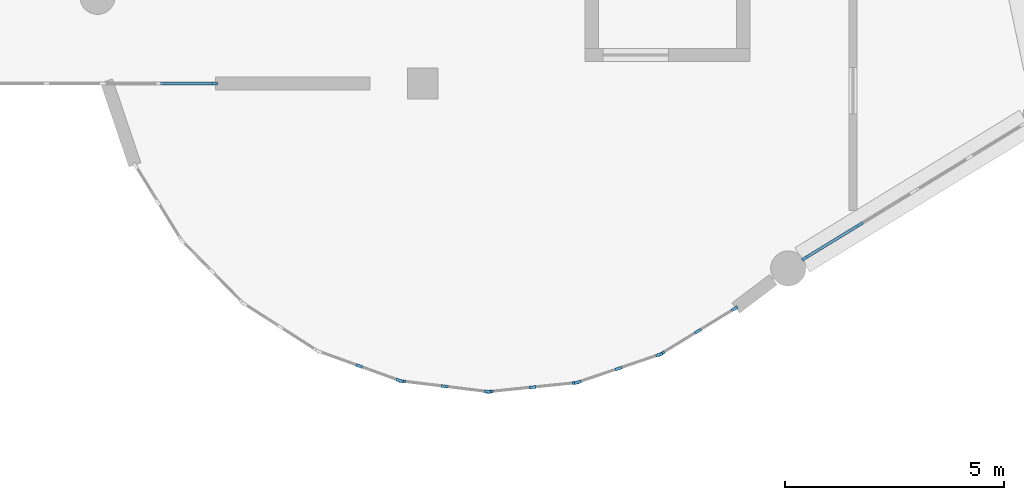
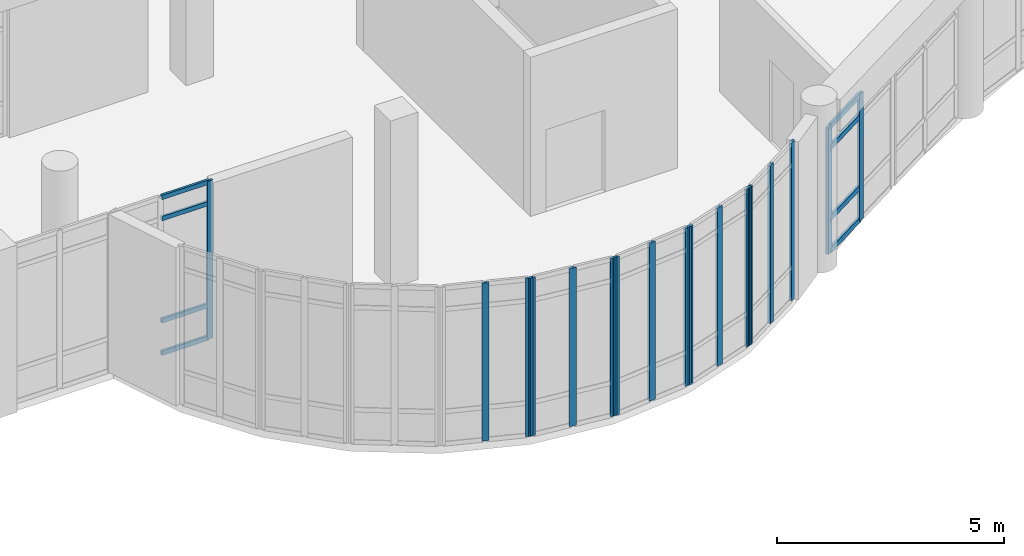
# One storey, part 8 of 54: 25 members, 7 elements without a shape of their own.
"""IFC4 building model written with IfcOpenShell, lengths in metres."""

from ifc_helpers import new_model, si_unit, direction, frame, origin, origin_2d, place, context, subcontext, project, spatial, rectangle, extrude, material, layer, layer_set, material_profile, profile_set, type_object, element, aggregate, save


model = new_model("IFC4")

# Units and contexts
model_context = context("Model", 3, precision=1e-05, world=origin(), true_north=direction((0.0, 1.0)))
body_context = subcontext(model_context, "Body", "Model", "MODEL_VIEW")
ifc_project = project(units=[si_unit("LENGTHUNIT", "METRE"), si_unit("AREAUNIT", "SQUARE_METRE"), si_unit("VOLUMEUNIT", "CUBIC_METRE"), si_unit("PLANEANGLEUNIT", "RADIAN"), si_unit("MASSUNIT", "GRAM", prefix="KILO")], contexts=[model_context])

# Site, building, storey
site_placement = place(None, origin())
site = spatial("IfcSite", under=ifc_project, at=site_placement, CompositionType="ELEMENT")
building_placement = place(site_placement, origin())
building = spatial("IfcBuilding", under=site, at=building_placement, Name="Miralva Faculty of Natural Sciences", CompositionType="ELEMENT")
storey_placement = place(building_placement, frame((0.0, 0.0, 19.5)))
storey = spatial("IfcBuildingStorey", under=building, at=storey_placement, Name="L04", CompositionType="ELEMENT", Elevation=19.5)

# Curtain wall, members
ifc_material_1 = material(Name="Laminated solar-control glass", Category="glass")
ifc_layer_1 = layer(ifc_material_1, 0.179931640625, Name="CW-ARC-L03")
ifc_layer_set_1 = layer_set([ifc_layer_1], Name="Laminated solar-control glass")
curtain_wall_type_1 = type_object("IfcCurtainWallType", Name="CW-ARC-L03", PredefinedType="USERDEFINED", material=ifc_layer_set_1)
curtain_wall_1_placement = place(storey_placement, origin())
curtain_wall_1 = element("IfcCurtainWall", 1, at=curtain_wall_1_placement, inside=storey, type_object=curtain_wall_type_1, Name="Curtain wall CW-03 L04-157", ObjectType="UNITISED CURTAIN WALL", PredefinedType="USERDEFINED")
ifc_material_2 = material(Name="Anodised aluminium", Category="aluminium")
ifc_material_profile_1 = material_profile(ifc_material_2, rectangle(XDim=0.06494140625, YDim=0.179931640625, at=origin_2d()), Name="MULLION 65x180")
ifc_profile_set_1 = profile_set([ifc_material_profile_1], Name="Anodised aluminium")
member_type_1 = type_object("IfcMemberType", Name="CW-M01", PredefinedType="MULLION", material=ifc_profile_set_1)
member_1_placement = place(storey_placement, frame((65.115234375, 14.02685546875, 0.0), z_axis=(0.0, 0.0, 1.0), x_axis=(-0.522497642249, 0.852640729642, 0.0)))
member_1 = element("IfcMember", 2, at=member_1_placement, type_object=member_type_1, Name="CW-03 mullion 1", PredefinedType="MULLION", context=body_context, shape_type="SweptSolid", body=[
    extrude(rectangle(XDim=0.06494140625, YDim=0.179931640625, at=origin_2d()), origin(), (0.0, 0.0, 1.0), 3.405029296875),
])
member_2_placement = place(storey_placement, frame((66.3447265625, 14.780029296875, 0.0), z_axis=(0.0, 0.0, 1.0), x_axis=(-0.522497642249, 0.852640729642, 0.0)))
member_2 = element("IfcMember", 3, at=member_2_placement, type_object=member_type_1, Name="CW-03 mullion 2", PredefinedType="MULLION", context=body_context, shape_type="SweptSolid", body=[
    extrude(rectangle(XDim=0.06494140625, YDim=0.179931640625, at=origin_2d()), origin(), (0.0, 0.0, 1.0), 3.405029296875),
])

ifc_layer_2 = layer(ifc_material_1, 0.179931640625, Name="CW-RND-L03")
ifc_layer_set_2 = layer_set([ifc_layer_2], Name="Laminated solar-control glass")
curtain_wall_type_2 = type_object("IfcCurtainWallType", Name="CW-RND-L03", PredefinedType="USERDEFINED", material=ifc_layer_set_2)
curtain_wall_2_placement = place(storey_placement, origin())
curtain_wall_2 = element("IfcCurtainWall", 4, at=curtain_wall_2_placement, inside=storey, type_object=curtain_wall_type_2, Name="Curtain wall CW-06 L04-189", ObjectType="UNITISED CURTAIN WALL", PredefinedType="USERDEFINED")
ifc_material_profile_2 = material_profile(ifc_material_2, rectangle(XDim=0.06494140625, YDim=0.159912109375, at=origin_2d()), Name="MULLION 65x160")
ifc_profile_set_2 = profile_set([ifc_material_profile_2], Name="Anodised aluminium")
member_type_2 = type_object("IfcMemberType", Name="CW-M02", PredefinedType="MULLION", material=ifc_profile_set_2)
member_3_placement = place(storey_placement, frame((61.837158203125, 11.846435546875, 0.0), z_axis=(0.0, 0.0, 1.0), x_axis=(-0.523550543884, 0.851994617353, 0.0)))
member_3 = element("IfcMember", 5, at=member_3_placement, type_object=member_type_2, Name="CW-06 mullion 1", PredefinedType="MULLION", context=body_context, shape_type="SweptSolid", body=[
    extrude(rectangle(XDim=0.06494140625, YDim=0.159912109375, at=origin_2d()), origin(), (0.0, 0.0, 1.0), 4.25),
])
member_4_placement = place(storey_placement, frame((62.670166015625, 12.358154296875, 0.0), z_axis=(0.0, 0.0, 1.0), x_axis=(-0.523550543884, 0.851994617353, 0.0)))
member_4 = element("IfcMember", 6, at=member_4_placement, type_object=member_type_2, Name="CW-06 mullion 2", PredefinedType="MULLION", context=body_context, shape_type="SweptSolid", body=[
    extrude(rectangle(XDim=0.06494140625, YDim=0.159912109375, at=origin_2d()), origin(), (0.0, 0.0, 1.0), 4.25),
])
member_5_placement = place(storey_placement, frame((63.503173828125, 12.8701171875, 0.0), z_axis=(0.0, 0.0, 1.0), x_axis=(-0.523550543884, 0.851994617353, 0.0)))
member_5 = element("IfcMember", 7, at=member_5_placement, type_object=member_type_2, Name="CW-06 mullion 3", PredefinedType="MULLION", context=body_context, shape_type="SweptSolid", body=[
    extrude(rectangle(XDim=0.06494140625, YDim=0.159912109375, at=origin_2d()), origin(), (0.0, 0.0, 1.0), 4.25),
])
aggregate(curtain_wall_2, [member_3, member_4, member_5])

curtain_wall_3_placement = place(storey_placement, origin())
curtain_wall_3 = element("IfcCurtainWall", 8, at=curtain_wall_3_placement, inside=storey, type_object=curtain_wall_type_2, Name="Curtain wall CW-06 L04-190", ObjectType="UNITISED CURTAIN WALL", PredefinedType="USERDEFINED")
member_6_placement = place(storey_placement, frame((59.931396484375, 11.193115234375, 0.0), z_axis=(0.0, 0.0, 1.0), x_axis=(-0.320842126361, 0.947132688672, 0.0)))
member_6 = element("IfcMember", 9, at=member_6_placement, type_object=member_type_2, Name="CW-06 mullion 1", PredefinedType="MULLION", context=body_context, shape_type="SweptSolid", body=[
    extrude(rectangle(XDim=0.06494140625, YDim=0.159912109375, at=origin_2d()), origin(), (0.0, 0.0, 1.0), 4.25),
])
member_7_placement = place(storey_placement, frame((60.857421875, 11.5068359375, 0.0), z_axis=(0.0, 0.0, 1.0), x_axis=(-0.320842126361, 0.947132688672, 0.0)))
member_7 = element("IfcMember", 10, at=member_7_placement, type_object=member_type_2, Name="CW-06 mullion 2", PredefinedType="MULLION", context=body_context, shape_type="SweptSolid", body=[
    extrude(rectangle(XDim=0.06494140625, YDim=0.159912109375, at=origin_2d()), origin(), (0.0, 0.0, 1.0), 4.25),
])
member_8_placement = place(storey_placement, frame((61.783447265625, 11.820556640625, 0.0), z_axis=(0.0, 0.0, 1.0), x_axis=(-0.320842126361, 0.947132688672, 0.0)))
member_8 = element("IfcMember", 11, at=member_8_placement, type_object=member_type_2, Name="CW-06 mullion 3", PredefinedType="MULLION", context=body_context, shape_type="SweptSolid", body=[
    extrude(rectangle(XDim=0.06494140625, YDim=0.159912109375, at=origin_2d()), origin(), (0.0, 0.0, 1.0), 4.25),
])
aggregate(curtain_wall_3, [member_6, member_7, member_8])

curtain_wall_4_placement = place(storey_placement, origin())
curtain_wall_4 = element("IfcCurtainWall", 12, at=curtain_wall_4_placement, inside=storey, type_object=curtain_wall_type_2, Name="Curtain wall CW-06 L04-191", ObjectType="UNITISED CURTAIN WALL", PredefinedType="USERDEFINED")
member_9_placement = place(storey_placement, frame((57.92822265625, 10.980224609375, 0.0), z_axis=(0.0, 0.0, 1.0), x_axis=(-0.102056494477, 0.994778604482, 0.0)))
member_9 = element("IfcMember", 13, at=member_9_placement, type_object=member_type_2, Name="CW-06 mullion 1", PredefinedType="MULLION", context=body_context, shape_type="SweptSolid", body=[
    extrude(rectangle(XDim=0.06494140625, YDim=0.159912109375, at=origin_2d()), origin(), (0.0, 0.0, 1.0), 4.25),
])
member_10_placement = place(storey_placement, frame((58.900634765625, 11.080078125, 0.0), z_axis=(0.0, 0.0, 1.0), x_axis=(-0.102056494477, 0.994778604482, 0.0)))
member_10 = element("IfcMember", 14, at=member_10_placement, type_object=member_type_2, Name="CW-06 mullion 2", PredefinedType="MULLION", context=body_context, shape_type="SweptSolid", body=[
    extrude(rectangle(XDim=0.06494140625, YDim=0.159912109375, at=origin_2d()), origin(), (0.0, 0.0, 1.0), 4.25),
])
member_11_placement = place(storey_placement, frame((59.873291015625, 11.179931640625, 0.0), z_axis=(0.0, 0.0, 1.0), x_axis=(-0.102056494477, 0.994778604482, 0.0)))
member_11 = element("IfcMember", 15, at=member_11_placement, type_object=member_type_2, Name="CW-06 mullion 3", PredefinedType="MULLION", context=body_context, shape_type="SweptSolid", body=[
    extrude(rectangle(XDim=0.06494140625, YDim=0.159912109375, at=origin_2d()), origin(), (0.0, 0.0, 1.0), 4.25),
])
aggregate(curtain_wall_4, [member_9, member_10, member_11])

curtain_wall_5_placement = place(storey_placement, origin())
curtain_wall_5 = element("IfcCurtainWall", 16, at=curtain_wall_5_placement, inside=storey, type_object=curtain_wall_type_2, Name="Curtain wall CW-06 L04-192", ObjectType="UNITISED CURTAIN WALL", PredefinedType="USERDEFINED")
member_12_placement = place(storey_placement, frame((55.927734375, 11.21875, 0.0), z_axis=(0.0, 0.0, 1.0), x_axis=(0.121859649701, 0.99254734183, 0.0)))
member_12 = element("IfcMember", 17, at=member_12_placement, type_object=member_type_2, Name="CW-06 mullion 1", PredefinedType="MULLION", context=body_context, shape_type="SweptSolid", body=[
    extrude(rectangle(XDim=0.06494140625, YDim=0.159912109375, at=origin_2d()), origin(), (0.0, 0.0, 1.0), 4.25),
])
member_13_placement = place(storey_placement, frame((56.898193359375, 11.099609375, 0.0), z_axis=(0.0, 0.0, 1.0), x_axis=(0.121859649701, 0.99254734183, 0.0)))
member_13 = element("IfcMember", 18, at=member_13_placement, type_object=member_type_2, Name="CW-06 mullion 2", PredefinedType="MULLION", context=body_context, shape_type="SweptSolid", body=[
    extrude(rectangle(XDim=0.06494140625, YDim=0.159912109375, at=origin_2d()), origin(), (0.0, 0.0, 1.0), 4.25),
])
member_14_placement = place(storey_placement, frame((57.86865234375, 10.98046875, 0.0), z_axis=(0.0, 0.0, 1.0), x_axis=(0.121859649701, 0.99254734183, 0.0)))
member_14 = element("IfcMember", 19, at=member_14_placement, type_object=member_type_2, Name="CW-06 mullion 3", PredefinedType="MULLION", context=body_context, shape_type="SweptSolid", body=[
    extrude(rectangle(XDim=0.06494140625, YDim=0.159912109375, at=origin_2d()), origin(), (0.0, 0.0, 1.0), 4.25),
])
aggregate(curtain_wall_5, [member_12, member_13, member_14])

curtain_wall_6_placement = place(storey_placement, origin())
curtain_wall_6 = element("IfcCurtainWall", 20, at=curtain_wall_6_placement, inside=storey, type_object=curtain_wall_type_2, Name="Curtain wall CW-06 L04-193", ObjectType="UNITISED CURTAIN WALL", PredefinedType="USERDEFINED")
member_15_placement = place(storey_placement, frame((54.9501953125, 11.56396484375, 0.0), z_axis=(0.0, 0.0, 1.0), x_axis=(0.339695547876, 0.940535451088, 0.0)))
member_15 = element("IfcMember", 21, at=member_15_placement, type_object=member_type_2, Name="CW-06 mullion 2", PredefinedType="MULLION", context=body_context, shape_type="SweptSolid", body=[
    extrude(rectangle(XDim=0.06494140625, YDim=0.159912109375, at=origin_2d()), origin(), (0.0, 0.0, 1.0), 4.25),
])
member_16_placement = place(storey_placement, frame((55.86962890625, 11.23193359375, 0.0), z_axis=(0.0, 0.0, 1.0), x_axis=(0.339695547876, 0.940535451088, 0.0)))
member_16 = element("IfcMember", 22, at=member_16_placement, type_object=member_type_2, Name="CW-06 mullion 3", PredefinedType="MULLION", context=body_context, shape_type="SweptSolid", body=[
    extrude(rectangle(XDim=0.06494140625, YDim=0.159912109375, at=origin_2d()), origin(), (0.0, 0.0, 1.0), 4.25),
])
aggregate(curtain_wall_6, [member_15, member_16])

# Curtain wall, member
ifc_layer_3 = layer(ifc_material_1, 0.179931640625, Name="CW-COM-L01")
ifc_layer_set_3 = layer_set([ifc_layer_3], Name="Laminated solar-control glass")
curtain_wall_type_3 = type_object("IfcCurtainWallType", Name="CW-COM-L01", PredefinedType="USERDEFINED", material=ifc_layer_set_3)
curtain_wall_7_placement = place(storey_placement, origin())
curtain_wall_7 = element("IfcCurtainWall", 23, at=curtain_wall_7_placement, inside=storey, type_object=curtain_wall_type_3, Name="Curtain wall CW-10 L04-307", ObjectType="UNITISED CURTAIN WALL", PredefinedType="USERDEFINED")
ifc_material_profile_3 = material_profile(ifc_material_2, rectangle(XDim=0.06005859375, YDim=0.139892578125, at=origin_2d()), Name="MULLION 60x140")
ifc_profile_set_3 = profile_set([ifc_material_profile_3], Name="Anodised aluminium")
member_type_3 = type_object("IfcMemberType", Name="CW-M03", PredefinedType="MULLION", material=ifc_profile_set_3)
member_17_placement = place(storey_placement, frame((51.64990234375, 18.0, 0.0), z_axis=(0.0, 0.0, 1.0), x_axis=(0.0, 1.0, 0.0)))
member_17 = element("IfcMember", 24, at=member_17_placement, type_object=member_type_3, Name="CW-10 mullion 5", PredefinedType="MULLION", context=body_context, shape_type="SweptSolid", body=[
    extrude(rectangle(XDim=0.06005859375, YDim=0.139892578125, at=origin_2d()), origin(), (0.0, 0.0, 1.0), 4.25),
])

# Member
ifc_material_profile_4 = material_profile(ifc_material_2, rectangle(XDim=0.06494140625, YDim=0.139892578125, at=origin_2d()), Name="TRANSOM 65x140")
ifc_profile_set_4 = profile_set([ifc_material_profile_4], Name="Anodised aluminium")
member_type_4 = type_object("IfcMemberType", Name="CW-T01", PredefinedType="USERDEFINED", material=ifc_profile_set_4)
member_18_placement = place(storey_placement, frame((65.14306640625, 14.043701171875, 0.032470703125), z_axis=(0.85258850929, 0.522582848768, 0.0), x_axis=(-0.522582848768, 0.85258850929, 0.0)))
member_18 = element("IfcMember", 25, at=member_18_placement, type_object=member_type_4, Name="CW-03 transom 1.1", ObjectType="TRANSOM", PredefinedType="USERDEFINED", context=body_context, shape_type="SweptSolid", body=[
    extrude(rectangle(XDim=0.06494140625, YDim=0.139892578125, at=origin_2d()), origin(), (0.0, 0.0, 1.0), 1.376708984375),
])

member_19_placement = place(storey_placement, frame((65.14306640625, 14.043701171875, 0.89990234375), z_axis=(0.85258850929, 0.522582848768, 0.0), x_axis=(-0.522582848768, 0.85258850929, 0.0)))
member_19 = element("IfcMember", 26, at=member_19_placement, type_object=member_type_4, Name="CW-03 transom 1.2", ObjectType="TRANSOM", PredefinedType="USERDEFINED", context=body_context, shape_type="SweptSolid", body=[
    extrude(rectangle(XDim=0.06494140625, YDim=0.139892578125, at=origin_2d()), origin(), (0.0, 0.0, 1.0), 1.376708984375),
])

member_20_placement = place(storey_placement, frame((65.14306640625, 14.043701171875, 2.804931640625), z_axis=(0.85258850929, 0.522582848768, 0.0), x_axis=(-0.522582848768, 0.85258850929, 0.0)))
member_20 = element("IfcMember", 27, at=member_20_placement, type_object=member_type_4, Name="CW-03 transom 1.3", ObjectType="TRANSOM", PredefinedType="USERDEFINED", context=body_context, shape_type="SweptSolid", body=[
    extrude(rectangle(XDim=0.06494140625, YDim=0.139892578125, at=origin_2d()), origin(), (0.0, 0.0, 1.0), 1.376708984375),
])

member_21_placement = place(storey_placement, frame((65.14306640625, 14.043701171875, 3.37255859375), z_axis=(0.85258850929, 0.522582848768, 0.0), x_axis=(-0.522582848768, 0.85258850929, 0.0)))
member_21 = element("IfcMember", 28, at=member_21_placement, type_object=member_type_4, Name="CW-03 transom 1.4", ObjectType="TRANSOM", PredefinedType="USERDEFINED", context=body_context, shape_type="SweptSolid", body=[
    extrude(rectangle(XDim=0.06494140625, YDim=0.139892578125, at=origin_2d()), origin(), (0.0, 0.0, 1.0), 1.376708984375),
])

aggregate(curtain_wall_1, [member_1, member_2, member_18, member_19, member_20, member_21])

ifc_material_profile_5 = material_profile(ifc_material_2, rectangle(XDim=0.06005859375, YDim=0.1201171875, at=origin_2d()), Name="TRANSOM 60x120")
ifc_profile_set_5 = profile_set([ifc_material_profile_5], Name="Anodised aluminium")
member_type_5 = type_object("IfcMemberType", Name="CW-T02", PredefinedType="USERDEFINED", material=ifc_profile_set_5)
member_22_placement = place(storey_placement, frame((50.423828125, 18.0, 0.030029296875), z_axis=(1.0, 0.0, 0.0), x_axis=(0.0, 1.0, 0.0)))
member_22 = element("IfcMember", 29, at=member_22_placement, type_object=member_type_5, Name="CW-10 transom 4.1", ObjectType="TRANSOM", PredefinedType="USERDEFINED", context=body_context, shape_type="SweptSolid", body=[
    extrude(rectangle(XDim=0.06005859375, YDim=0.1201171875, at=origin_2d()), origin(), (0.0, 0.0, 1.0), 1.1962890625),
])

member_23_placement = place(storey_placement, frame((50.423828125, 18.0, 0.89990234375), z_axis=(1.0, 0.0, 0.0), x_axis=(0.0, 1.0, 0.0)))
member_23 = element("IfcMember", 30, at=member_23_placement, type_object=member_type_5, Name="CW-10 transom 4.2", ObjectType="TRANSOM", PredefinedType="USERDEFINED", context=body_context, shape_type="SweptSolid", body=[
    extrude(rectangle(XDim=0.06005859375, YDim=0.1201171875, at=origin_2d()), origin(), (0.0, 0.0, 1.0), 1.1962890625),
])

member_24_placement = place(storey_placement, frame((50.423828125, 18.0, 3.64990234375), z_axis=(1.0, 0.0, 0.0), x_axis=(0.0, 1.0, 0.0)))
member_24 = element("IfcMember", 31, at=member_24_placement, type_object=member_type_5, Name="CW-10 transom 4.3", ObjectType="TRANSOM", PredefinedType="USERDEFINED", context=body_context, shape_type="SweptSolid", body=[
    extrude(rectangle(XDim=0.06005859375, YDim=0.1201171875, at=origin_2d()), origin(), (0.0, 0.0, 1.0), 1.1962890625),
])

member_25_placement = place(storey_placement, frame((50.423828125, 18.0, 4.219970703125), z_axis=(1.0, 0.0, 0.0), x_axis=(0.0, 1.0, 0.0)))
member_25 = element("IfcMember", 32, at=member_25_placement, type_object=member_type_5, Name="CW-10 transom 4.4", ObjectType="TRANSOM", PredefinedType="USERDEFINED", context=body_context, shape_type="SweptSolid", body=[
    extrude(rectangle(XDim=0.06005859375, YDim=0.1201171875, at=origin_2d()), origin(), (0.0, 0.0, 1.0), 1.1962890625),
])

aggregate(curtain_wall_7, [member_17, member_22, member_23, member_24, member_25])

save(model, "model.ifc")
